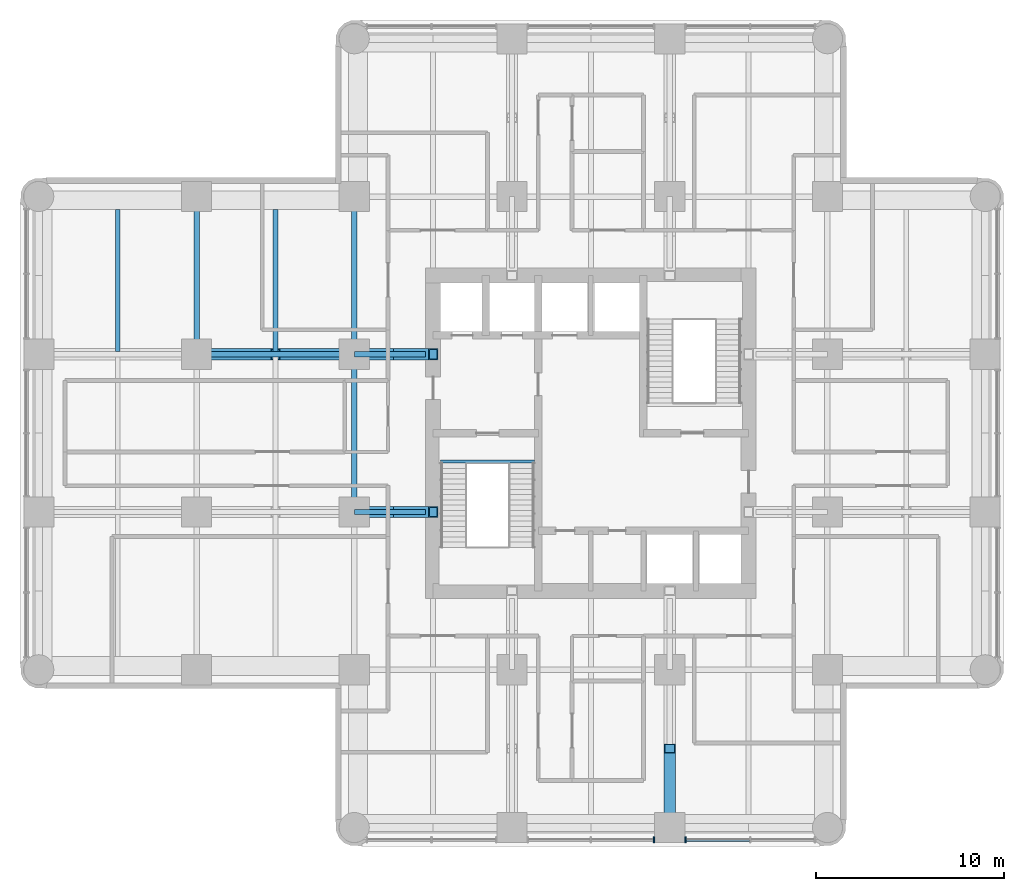
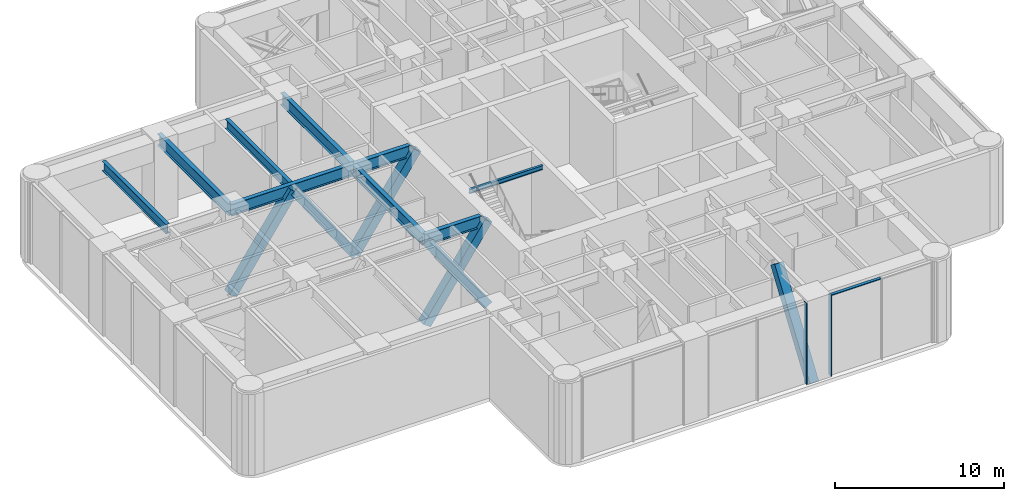
# One storey, part 3 of 12: 10 members, 9 beams, 1 element without a shape of its own.
"""IFC4 building model written with IfcOpenShell, lengths in metres."""

import ifcopenshell
import ifcopenshell.guid

model = None  # the IFC model being written
_history = None  # IfcOwnerHistory: only IFC2X3 demands one
_inside = {}  # id of a spatial element -> (the spatial element, [elements in it])
_under = {}  # id of a project, library or spatial element -> (it, [spatial elements below it])
_declared = {}  # id of a project -> (the project, [libraries it declares])
_typed = {}  # id of a type object -> (the type object, [elements of that type])
_made_of = {}  # id of a material, layer set ... -> (it, [elements and type objects made of it])


def new_model(schema):
    """Start an empty IFC model of exactly this schema.

    Asked for "IFC4X3", IfcOpenShell would pick the latest addendum, in which some entities
    have other attributes; the version numbers below select the first issue.
    IFC2X3 requires an IfcOwnerHistory on every rooted entity: one is made here for all.
    """
    global model, _history
    if schema == "IFC4X3":
        model = ifcopenshell.file(schema_version=(4, 3, 0, 0))
    else:
        model = ifcopenshell.file(schema=schema)
    _inside.clear()
    _under.clear()
    _declared.clear()
    _typed.clear()
    _made_of.clear()
    _history = None
    if model.schema == "IFC2X3":
        org = make("IfcOrganization", Name="unknown")
        user = make(
            "IfcPersonAndOrganization",
            ThePerson=make("IfcPerson", FamilyName="unknown"),
            TheOrganization=org,
        )
        app = make(
            "IfcApplication",
            ApplicationDeveloper=org,
            Version="unknown",
            ApplicationFullName="unknown",
            ApplicationIdentifier="unknown",
        )
        _history = make(
            "IfcOwnerHistory",
            OwningUser=user,
            OwningApplication=app,
            ChangeAction="ADDED",
            CreationDate=0,
        )
    return model


def make(cls, **values):
    """One entity of the class cls with the attributes given. An attribute that is None is left unset."""
    return model.create_entity(
        cls, **{name: value for name, value in values.items() if value is not None}
    )


def rooted(cls, **values):
    """An entity with a GlobalId (a new one), such as an element, a storey or a relation."""
    return make(cls, GlobalId=ifcopenshell.guid.new(), OwnerHistory=_history, **values)


def si_unit(unit_type, name, prefix=None):
    """IfcSIUnit, for example si_unit("LENGTHUNIT", "METRE", prefix="MILLI")."""
    return make("IfcSIUnit", UnitType=unit_type, Prefix=prefix, Name=name)


def assignment(units):
    """IfcUnitAssignment: the units of a project."""
    return None if units is None else make("IfcUnitAssignment", Units=units)


def point(xyz):
    """IfcCartesianPoint."""
    return None if xyz is None else make("IfcCartesianPoint", Coordinates=xyz)


def direction(xyz):
    """IfcDirection."""
    return None if xyz is None else make("IfcDirection", DirectionRatios=xyz)


def frame(location, z_axis=None, x_axis=None):
    """IfcAxis2Placement3D, a coordinate frame: its origin and axes. An axis left out is left unset."""
    return make(
        "IfcAxis2Placement3D",
        Location=point(location),
        Axis=direction(z_axis),
        RefDirection=direction(x_axis),
    )


def frame_2d(location, x_axis=None):
    """IfcAxis2Placement2D, a coordinate frame in the plane: its origin and x axis."""
    return make(
        "IfcAxis2Placement2D", Location=point(location), RefDirection=direction(x_axis)
    )


def origin():
    """The frame at (0, 0, 0) with its axes left unset."""
    return frame((0.0, 0.0, 0.0))


def origin_2d():
    """The frame at (0, 0) in the plane with its x axis left unset."""
    return frame_2d((0.0, 0.0))


def place(relative_to, where):
    """IfcLocalPlacement: puts the frame where relative to a parent placement (None: the world)."""
    return make(
        "IfcLocalPlacement", PlacementRelTo=relative_to, RelativePlacement=where
    )


def context(
    kind, dimensions, precision=None, world=None, true_north=None, identifier=None
):
    """IfcGeometricRepresentationContext, for example the 3D "Model" context."""
    return make(
        "IfcGeometricRepresentationContext",
        ContextIdentifier=identifier,
        ContextType=kind,
        CoordinateSpaceDimension=dimensions,
        Precision=precision,
        WorldCoordinateSystem=world,
        TrueNorth=true_north,
    )


def subcontext(parent, identifier, kind, view, scale=None):
    """IfcGeometricRepresentationSubContext, for example "Body" below "Model"."""
    return make(
        "IfcGeometricRepresentationSubContext",
        ContextIdentifier=identifier,
        ContextType=kind,
        ParentContext=parent,
        TargetScale=scale,
        TargetView=view,
    )


def project(units=None, contexts=None):
    """IfcProject with its units and contexts."""
    return rooted(
        "IfcProject",
        Name="project",
        RepresentationContexts=contexts,
        UnitsInContext=assignment(units),
    )


def spatial(cls, under=None, at=None, **own):
    """A site, building, storey or space (cls), placed at a placement, below another one or the project."""
    s = rooted(cls, ObjectPlacement=at, **own)
    if under is not None:
        _under.setdefault(under.id(), (under, []))[1].append(s)
    return s


def profile(cls, at=None, kind="AREA", **sizes):
    """A parametric profile (cls). Its sizes go by their IFC names, for example OverallWidth=200.0."""
    return make(cls, ProfileType=kind, Position=at, **sizes)


def rectangle(**sizes):
    """IfcRectangleProfileDef."""
    return profile("IfcRectangleProfileDef", **sizes)


def hollow_rectangle(**sizes):
    """IfcRectangleHollowProfileDef."""
    return profile("IfcRectangleHollowProfileDef", **sizes)


def i_section(**sizes):
    """IfcIShapeProfileDef."""
    return profile("IfcIShapeProfileDef", **sizes)


def extrude(swept, where, along, depth):
    """IfcExtrudedAreaSolid: the profile swept, set in the frame where, extruded along a direction by depth."""
    return make(
        "IfcExtrudedAreaSolid",
        SweptArea=swept,
        Position=where,
        ExtrudedDirection=direction(along),
        Depth=depth,
    )


def shape(context_of_items, identifier, shape_type, items):
    """IfcShapeRepresentation: the items that make up one representation, for example the "Body"."""
    return make(
        "IfcShapeRepresentation",
        ContextOfItems=context_of_items,
        RepresentationIdentifier=identifier,
        RepresentationType=shape_type,
        Items=items,
    )


def material(Name=None, Category=None):
    """IfcMaterial."""
    return make("IfcMaterial", Name=Name, Category=Category)


def material_profile(
    of_material, cross_section, Name=None, Category=None, Priority=None
):
    """IfcMaterialProfile: a cross section and its material."""
    return make(
        "IfcMaterialProfile",
        Name=Name,
        Material=of_material,
        Profile=cross_section,
        Priority=Priority,
        Category=Category,
    )


def profile_set(profiles, Name=None, composite=None):
    """IfcMaterialProfileSet."""
    return make(
        "IfcMaterialProfileSet",
        Name=Name,
        MaterialProfiles=profiles,
        CompositeProfile=composite,
    )


def made_of(thing, what):
    """Note that an element or type object is made of a material, layer set ...; save() writes the relation."""
    if what is not None:
        _made_of.setdefault(what.id(), (what, []))[1].append(thing)
    return thing


def type_object(cls, material=None, **own):
    """A type object (cls), such as IfcWallType, which elements share."""
    return made_of(rooted(cls, **own), material)


def element(
    cls,
    number,
    at=None,
    inside=None,
    cuts=None,
    type_object=None,
    material=None,
    context=None,
    identifier="Body",
    shape_type=None,
    held_by="IfcProductDefinitionShape",
    body=None,
    shapes=None,
    **own,
):
    """One element of the class cls, such as IfcWall. Its Tag is "e" and its number.

    at: its placement. inside: the storey or other place that contains it. cuts: it is an
    opening in that element (IfcRelVoidsElement). A single representation is given by context,
    identifier, shape_type and body (its items); several are given by shapes. held_by: the class
    of the entity that holds the representations. save() writes the other relations.
    """
    e = rooted(cls, Tag="e%d" % number, ObjectPlacement=at, **own)
    if body is not None:
        shapes = [shape(context, identifier, shape_type, body)]
    if shapes is not None:
        e.Representation = make(held_by, Representations=shapes)
    if inside is not None:
        _inside.setdefault(inside.id(), (inside, []))[1].append(e)
    if cuts is not None:
        rooted(
            "IfcRelVoidsElement", RelatingBuildingElement=cuts, RelatedOpeningElement=e
        )
    if type_object is not None:
        _typed.setdefault(type_object.id(), (type_object, []))[1].append(e)
    return made_of(e, material)


def aggregate(whole, parts):
    """IfcRelAggregates: a whole, such as a stair, and the parts it consists of."""
    return rooted("IfcRelAggregates", RelatingObject=whole, RelatedObjects=parts)


def save(model, path):
    """Write the relations noted so far, then the file.

    IfcRelAggregates (storeys below a building ...), IfcRelContainedInSpatialStructure (elements
    in a storey), IfcRelDefinesByType, IfcRelAssociatesMaterial and IfcRelDeclares: one each for
    every whole, place, type object, material and project.
    """
    for whole, parts in _under.values():
        aggregate(whole, parts)
    for where, things in _inside.values():
        rooted(
            "IfcRelContainedInSpatialStructure",
            RelatedElements=things,
            RelatingStructure=where,
        )
    for kind, things in _typed.values():
        rooted("IfcRelDefinesByType", RelatedObjects=things, RelatingType=kind)
    for what, things in _made_of.values():
        rooted("IfcRelAssociatesMaterial", RelatedObjects=things, RelatingMaterial=what)
    for by, libraries in _declared.values():
        rooted("IfcRelDeclares", RelatingContext=by, RelatedDefinitions=libraries)
    model.write(path)


model = new_model("IFC4")

# Units and contexts
model_context = context("Model", 3, precision=1e-05, world=origin(), true_north=direction((0.0, 1.0)))
body_context = subcontext(model_context, "Body", "Model", "MODEL_VIEW")
ifc_project = project(units=[si_unit("LENGTHUNIT", "METRE"), si_unit("AREAUNIT", "SQUARE_METRE"), si_unit("VOLUMEUNIT", "CUBIC_METRE"), si_unit("PLANEANGLEUNIT", "RADIAN"), si_unit("MASSUNIT", "GRAM", prefix="KILO")], contexts=[model_context])

# Site, building, storey
site_placement = place(None, origin())
site = spatial("IfcSite", under=ifc_project, at=site_placement, CompositionType="ELEMENT")
building_placement = place(site_placement, origin())
building = spatial("IfcBuilding", under=site, at=building_placement, Name="Torre Alcanfor", CompositionType="ELEMENT")
storey_placement = place(building_placement, frame((0.0, 0.0, 248.10009765625)))
storey = spatial("IfcBuildingStorey", under=building, at=storey_placement, Name="L65", CompositionType="ELEMENT", Elevation=248.10009765625)

# Curtain wall, members
ifc_material_1 = material(Name="Aluminium and glass", Category="aluminium")
curtain_wall_type = type_object("IfcCurtainWallType", Name="CW-D plant floor louvre screen", PredefinedType="NOTDEFINED", material=ifc_material_1)
curtain_wall_placement = place(storey_placement, origin())
curtain_wall = element("IfcCurtainWall", 1, at=curtain_wall_placement, inside=storey, type_object=curtain_wall_type, Name="Curtain wall CW-D L65 5", PredefinedType="NOTDEFINED")
ifc_material_2 = material(Name="Extruded aluminium", Category="aluminium")
ifc_material_profile_1 = material_profile(ifc_material_2, rectangle(XDim=0.300048828125, YDim=0.06494140625, at=origin_2d()), Name="CW-D mullion 65x300")
ifc_profile_set_1 = profile_set([ifc_material_profile_1], Name="Extruded aluminium")
member_type_1 = type_object("IfcMemberType", Name="CW-D mullion 65x300", PredefinedType="MULLION", material=ifc_profile_set_1)
member_1_placement = place(storey_placement, frame((32.762451171875, 7.75, 0.0), z_axis=(0.0, 0.0, 1.0), x_axis=(0.0, 1.0, 0.0)))
member_1 = element("IfcMember", 2, at=member_1_placement, type_object=member_type_1, Name="CW-D mullion 2.3", PredefinedType="MULLION", context=body_context, shape_type="SweptSolid", body=[
    extrude(rectangle(XDim=0.300048828125, YDim=0.06494140625, at=origin_2d()), origin(), (0.0, 0.0, 1.0), 5.849853515625),
])
member_2_placement = place(storey_placement, frame((34.4375, 7.75, 0.0), z_axis=(0.0, 0.0, 1.0), x_axis=(0.0, 1.0, 0.0)))
member_2 = element("IfcMember", 3, at=member_2_placement, type_object=member_type_1, Name="CW-D mullion 3.1", PredefinedType="MULLION", context=body_context, shape_type="SweptSolid", body=[
    extrude(rectangle(XDim=0.300048828125, YDim=0.06494140625, at=origin_2d()), origin(), (0.0, 0.0, 1.0), 5.849853515625),
])
ifc_material_3 = material(Name="Extruded aluminium", Category="aluminium")
ifc_material_profile_2 = material_profile(ifc_material_3, rectangle(XDim=0.199951171875, YDim=0.06494140625, at=origin_2d()), Name="CW-D transom 200x65")
ifc_profile_set_2 = profile_set([ifc_material_profile_2], Name="Extruded aluminium")
member_type_2 = type_object("IfcMemberType", Name="CW-D transom 65x200", PredefinedType="USERDEFINED", material=ifc_profile_set_2)
member_3_placement = place(storey_placement, frame((34.469970703125, 7.75, 5.8173828125), z_axis=(1.0, 0.0, 0.0), x_axis=(0.0, 1.0, 0.0)))
member_3 = element("IfcMember", 4, at=member_3_placement, type_object=member_type_2, Name="CW-D transom 3.1.2", ObjectType="TRANSOM", PredefinedType="USERDEFINED", context=body_context, shape_type="SweptSolid", body=[
    extrude(rectangle(XDim=0.199951171875, YDim=0.06494140625, at=origin_2d()), origin(), (0.0, 0.0, 1.0), 3.384521484375),
])
aggregate(curtain_wall, [member_1, member_2, member_3])

# Beams
ifc_material_4 = material(Name="Steel ASTM A992 Grade 50", Category="steel")
ifc_material_profile_3 = material_profile(ifc_material_4, i_section(OverallWidth=0.2919921875, OverallDepth=0.8408203125, WebThickness=0.0146484375, FlangeThickness=0.021728515625, at=origin_2d()), Name="W33x130")
ifc_profile_set_3 = profile_set([ifc_material_profile_3], Name="Steel ASTM A992 Grade 50")
beam_type_1 = type_object("IfcBeamType", Name="Girder W33x130", PredefinedType="BEAM", material=ifc_profile_set_3)
beam_1_placement = place(storey_placement, frame((8.39990234375, 33.60009765625, 5.429443359375), z_axis=(1.0, 0.0, 0.0), x_axis=(0.0, 1.0, 0.0)))
element("IfcBeam", 5, at=beam_1_placement, inside=storey, type_object=beam_type_1, Name="Beam 2G-3G under L66", PredefinedType="BEAM", context=body_context, shape_type="SweptSolid", body=[
    extrude(i_section(OverallWidth=0.2919921875, OverallDepth=0.8408203125, WebThickness=0.0146484375, FlangeThickness=0.021728515625, at=origin_2d()), origin(), (0.0, 0.0, 1.0), 8.400146484375),
])
beam_2_placement = place(storey_placement, frame((8.39990234375, 33.60009765625, 5.429443359375), z_axis=(0.0, 1.0, 0.0), x_axis=(-1.0, 0.0, 0.0)))
element("IfcBeam", 6, at=beam_2_placement, inside=storey, type_object=beam_type_1, Name="Beam 2G-2H under L66", PredefinedType="BEAM", context=body_context, shape_type="SweptSolid", body=[
    extrude(i_section(OverallWidth=0.2919921875, OverallDepth=0.8408203125, WebThickness=0.0146484375, FlangeThickness=0.021728515625, at=origin_2d()), origin(), (0.0, 0.0, 1.0), 8.39990234375),
])
beam_3_placement = place(storey_placement, frame((16.800048828125, 25.199951171875, 5.429443359375), z_axis=(0.0, 1.0, 0.0), x_axis=(-1.0, 0.0, 0.0)))
element("IfcBeam", 7, at=beam_3_placement, inside=storey, type_object=beam_type_1, Name="Beam 3F-3G under L66", PredefinedType="BEAM", context=body_context, shape_type="SweptSolid", body=[
    extrude(i_section(OverallWidth=0.2919921875, OverallDepth=0.8408203125, WebThickness=0.0146484375, FlangeThickness=0.021728515625, at=origin_2d()), origin(), (0.0, 0.0, 1.0), 8.400146484375),
])
beam_4_placement = place(storey_placement, frame((16.800048828125, 33.60009765625, 5.429443359375), z_axis=(0.0, 1.0, 0.0), x_axis=(-1.0, 0.0, 0.0)))
element("IfcBeam", 8, at=beam_4_placement, inside=storey, type_object=beam_type_1, Name="Beam 3G-3H under L66", PredefinedType="BEAM", context=body_context, shape_type="SweptSolid", body=[
    extrude(i_section(OverallWidth=0.2919921875, OverallDepth=0.8408203125, WebThickness=0.0146484375, FlangeThickness=0.021728515625, at=origin_2d()), origin(), (0.0, 0.0, 1.0), 8.39990234375),
])
ifc_material_5 = material(Name="Steel ASTM A992 Grade 50", Category="steel")
ifc_material_profile_4 = material_profile(ifc_material_5, i_section(OverallWidth=0.2919921875, OverallDepth=0.8408203125, WebThickness=0.0146484375, FlangeThickness=0.021728515625, at=origin_2d()), Name="W33x130")
ifc_profile_set_4 = profile_set([ifc_material_profile_4], Name="Steel ASTM A992 Grade 50")
beam_type_2 = type_object("IfcBeamType", Name="Girder, part bay W33x130", PredefinedType="BEAM", material=ifc_profile_set_4)
for number, where, z_axis, x_axis, name in (
    (9, (16.800048828125, 25.199951171875, 5.429443359375), (1.0, 0.0, 0.0), (0.0, 1.0, 0.0), "Beam 3F-20_6F under L66"),
    (10, (16.800048828125, 33.60009765625, 5.429443359375), (1.0, 0.0, 0.0), (0.0, 1.0, 0.0), "Beam 3G-20_6G under L66"),
):
    element("IfcBeam", number, at=place(storey_placement, frame(where, z_axis=z_axis, x_axis=x_axis)), inside=storey, type_object=beam_type_2, Name=name, PredefinedType="BEAM", context=body_context, shape_type="SweptSolid", body=[
        extrude(i_section(OverallWidth=0.2919921875, OverallDepth=0.8408203125, WebThickness=0.0146484375, FlangeThickness=0.021728515625, at=origin_2d()), origin(), (0.0, 0.0, 1.0), 3.800048828125),
    ])

# Members
ifc_material_6 = material(Name="Steel ASTM A572 Grade 50 plate", Category="steel")
ifc_material_profile_5 = material_profile(ifc_material_6, hollow_rectangle(XDim=0.60009765625, YDim=0.60009765625, WallThickness=0.050048828125, at=origin_2d()), Name="BOX 600x600x50")
ifc_profile_set_5 = profile_set([ifc_material_profile_5], Name="Steel ASTM A572 Grade 50 plate")
member_type_3 = type_object("IfcMemberType", Name="Outrigger truss diagonal BOx600x600x50", PredefinedType="BRACE", material=ifc_profile_set_5)
for number, where, z_axis, x_axis, name in (
    (11, (33.60009765625, 8.39990234375, -0.650146484375), (0.0, 0.567113464175, 0.823639677742), (-1.0, 0.0, 0.0), "Outrigger truss L65 S arm grid 33.6 panel 2 diagonal B"),
    (12, (21.0, 25.199951171875, -0.650146484375), (-0.567091101321, 0.0, 0.823655075139), (0.0, -1.0, 0.0), "Outrigger truss L65 W arm grid 25.2 panel 1 diagonal A"),
    (13, (16.800048828125, 25.199951171875, -0.650146484375), (0.567091101321, 0.0, 0.823655075139), (0.0, 1.0, 0.0), "Outrigger truss L65 W arm grid 25.2 panel 1 diagonal B"),
    (14, (21.0, 33.60009765625, -0.650146484375), (-0.567091101321, 0.0, 0.823655075139), (0.0, -1.0, 0.0), "Outrigger truss L65 W arm grid 33.6 panel 1 diagonal A"),
    (15, (16.800048828125, 33.60009765625, -0.650146484375), (0.567091101321, 0.0, 0.823655075139), (0.0, 1.0, 0.0), "Outrigger truss L65 W arm grid 33.6 panel 1 diagonal B"),
    (16, (16.800048828125, 33.60009765625, -0.650146484375), (-0.567091101321, 0.0, 0.823655075139), (0.0, -1.0, 0.0), "Outrigger truss L65 W arm grid 33.6 panel 2 diagonal A"),
    (17, (8.39990234375, 33.60009765625, -0.650146484375), (0.567113464175, 0.0, 0.823639677742), (0.0, 1.0, 0.0), "Outrigger truss L65 W arm grid 33.6 panel 2 diagonal B"),
):
    element("IfcMember", number, at=place(storey_placement, frame(where, z_axis=z_axis, x_axis=x_axis)), inside=storey, type_object=member_type_3, Name=name, PredefinedType="BRACE", context=body_context, shape_type="SweptSolid", body=[
        extrude(hollow_rectangle(XDim=0.60009765625, YDim=0.60009765625, WallThickness=0.050048828125, at=origin_2d()), origin(), (0.0, 0.0, 1.0), 7.40625),
    ])

# Beams
ifc_material_7 = material(Name="Steel ASTM A992 Grade 50", Category="steel")
ifc_material_profile_6 = material_profile(ifc_material_7, i_section(OverallWidth=0.25390625, OverallDepth=0.683349609375, WebThickness=0.012451171875, FlangeThickness=0.01904296875, at=origin_2d()), Name="W27x94")
ifc_profile_set_6 = profile_set([ifc_material_profile_6], Name="Steel ASTM A992 Grade 50")
beam_type_3 = type_object("IfcBeamType", Name="Secondary beam W27x94", PredefinedType="BEAM", material=ifc_profile_set_6)
for number, where, z_axis, x_axis, name in (
    (18, (4.199951171875, 33.74609375, 5.408203125), (0.0, 1.0, 0.0), (-1.0, 0.0, 0.0), "Beam 4_2G-4_2H under L66"),
    (19, (12.60009765625, 33.74609375, 5.50830078125), (0.0, 1.0, 0.0), (-1.0, 0.0, 0.0), "Beam 12_6G-12_6H under L66"),
):
    element("IfcBeam", number, at=place(storey_placement, frame(where, z_axis=z_axis, x_axis=x_axis)), inside=storey, type_object=beam_type_3, Name=name, PredefinedType="BEAM", context=body_context, shape_type="SweptSolid", body=[
        extrude(i_section(OverallWidth=0.25390625, OverallDepth=0.683349609375, WebThickness=0.012451171875, FlangeThickness=0.01904296875, at=origin_2d()), origin(), (0.0, 0.0, 1.0), 7.553955078125),
    ])
ifc_material_8 = material(Name="Steel ASTM A992 Grade 50", Category="steel")
ifc_material_profile_7 = material_profile(ifc_material_8, i_section(OverallWidth=0.164794921875, OverallDepth=0.309814453125, WebThickness=0.005859375, FlangeThickness=0.009765625, at=origin_2d()), Name="W12x26")
ifc_profile_set_7 = profile_set([ifc_material_profile_7], Name="Steel ASTM A992 Grade 50")
beam_type_4 = type_object("IfcBeamType", Name="Stair landing beam W12x26", PredefinedType="BEAM", material=ifc_profile_set_7)
beam_5_placement = place(storey_placement, frame((21.39990234375, 27.887451171875, 5.64501953125), z_axis=(1.0, 0.0, 0.0), x_axis=(0.0, 1.0, 0.0)))
element("IfcBeam", 20, at=beam_5_placement, inside=storey, type_object=beam_type_4, Name="Landing trimmer S1 L66", PredefinedType="BEAM", context=body_context, shape_type="SweptSolid", body=[
    extrude(i_section(OverallWidth=0.164794921875, OverallDepth=0.309814453125, WebThickness=0.005859375, FlangeThickness=0.009765625, at=origin_2d()), origin(), (0.0, 0.0, 1.0), 5.0),
])

save(model, "model.ifc")
